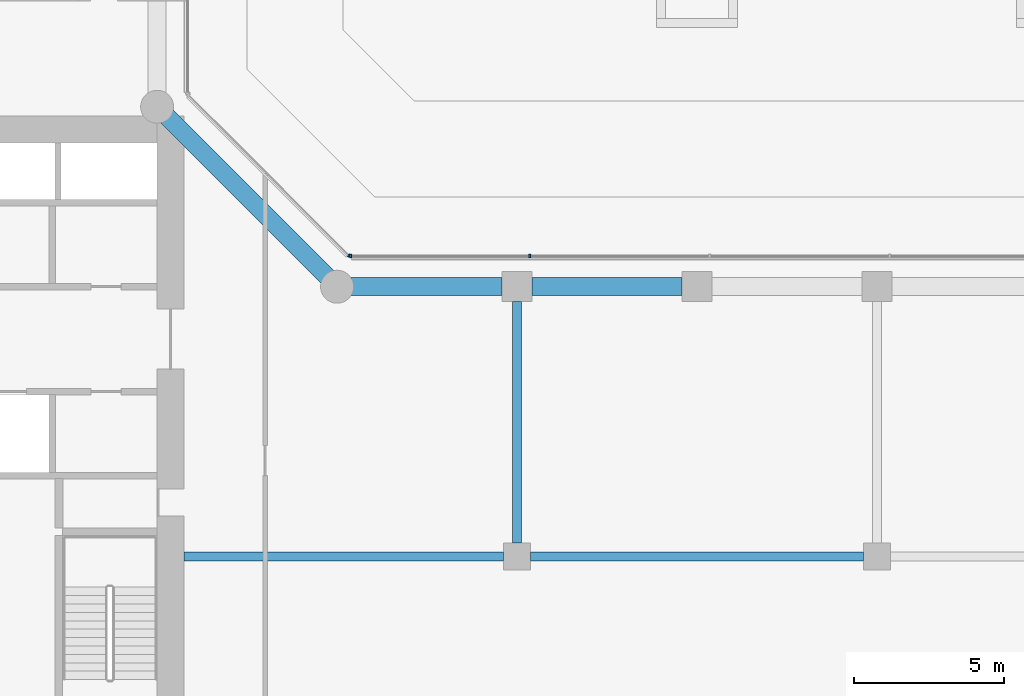
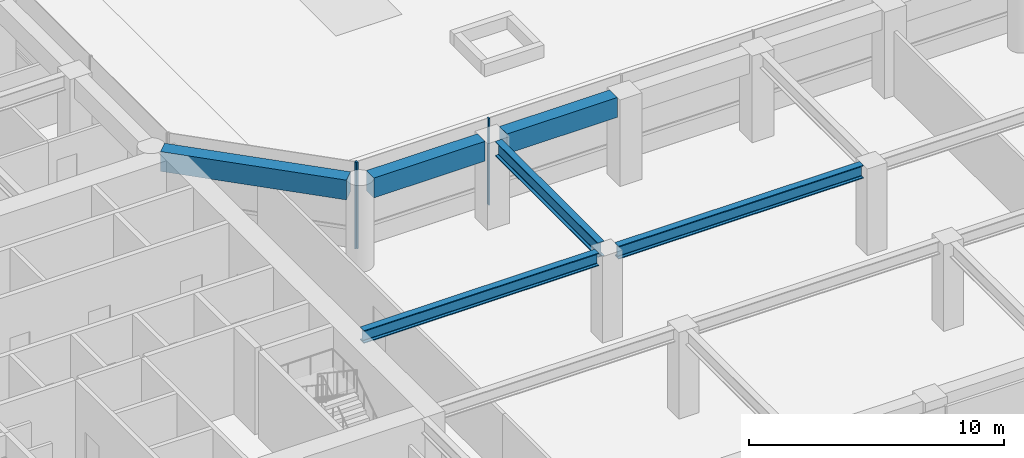
# One storey, part 7 of 31: 6 beams, 3 members, 2 elements without a shape of their own.
"""IFC4 building model written with IfcOpenShell, lengths in metres."""

from ifc_helpers import new_model, si_unit, direction, frame, origin, origin_2d, place, context, subcontext, project, spatial, rectangle, i_section, extrude, material, layer, layer_set, material_profile, profile_set, type_object, element, aggregate, save


model = new_model("IFC4")

# Units and contexts
model_context = context("Model", 3, precision=1e-05, world=origin(), true_north=direction((0.0, 1.0)))
body_context = subcontext(model_context, "Body", "Model", "MODEL_VIEW")
ifc_project = project(units=[si_unit("LENGTHUNIT", "METRE"), si_unit("AREAUNIT", "SQUARE_METRE"), si_unit("VOLUMEUNIT", "CUBIC_METRE"), si_unit("PLANEANGLEUNIT", "RADIAN"), si_unit("MASSUNIT", "GRAM", prefix="KILO")], contexts=[model_context])

# Site, building, storey
site_placement = place(None, origin())
site = spatial("IfcSite", under=ifc_project, at=site_placement, CompositionType="ELEMENT")
building_placement = place(site_placement, origin())
building = spatial("IfcBuilding", under=site, at=building_placement, Name="Welwitschia Terrace Campus", CompositionType="ELEMENT")
storey_placement = place(building_placement, frame((0.0, 0.0, 11.0)))
storey = spatial("IfcBuildingStorey", under=building, at=storey_placement, Name="L02", CompositionType="ELEMENT", Elevation=11.0)

# Beams
ifc_material_1 = material(Name="Steel S355", Category="steel")
ifc_material_profile_1 = material_profile(ifc_material_1, i_section(OverallWidth=0.304931640625, OverallDepth=0.6201171875, WebThickness=0.02099609375, FlangeThickness=0.0400390625, FilletRadius=0.027099609375, at=origin_2d()))
ifc_profile_set_1 = profile_set([ifc_material_profile_1], Name="Steel S355")
beam_type_1 = type_object("IfcBeamType", Name="Interior girder HE 600 M", PredefinedType="BEAM", material=ifc_profile_set_1)
beam_1_placement = place(storey_placement, frame((24.90087890625, 11.0, 3.840087890625), z_axis=(1.0, 0.0, 0.0), x_axis=(0.0, 1.0, 0.0)))
element("IfcBeam", 1, at=beam_1_placement, inside=storey, type_object=beam_type_1, Name="Girder GB1", PredefinedType="BEAM", context=body_context, shape_type="SweptSolid", body=[
    extrude(i_section(OverallWidth=0.304931640625, OverallDepth=0.6201171875, WebThickness=0.02099609375, FlangeThickness=0.0400390625, FilletRadius=0.027099609375, at=origin_2d()), origin(), (0.0, 0.0, 1.0), 10.648681640625),
])
beam_2_placement = place(storey_placement, frame((36.450439453125, 11.0, 3.840087890625), z_axis=(1.0, 0.0, 0.0), x_axis=(0.0, 1.0, 0.0)))
element("IfcBeam", 2, at=beam_2_placement, inside=storey, type_object=beam_type_1, Name="Girder GB1", PredefinedType="BEAM", context=body_context, shape_type="SweptSolid", body=[
    extrude(i_section(OverallWidth=0.304931640625, OverallDepth=0.6201171875, WebThickness=0.02099609375, FlangeThickness=0.0400390625, FilletRadius=0.027099609375, at=origin_2d()), origin(), (0.0, 0.0, 1.0), 11.09912109375),
])

# Curtain wall, members
ifc_material_2 = material(Name="Bronze anodised aluminium", Category="aluminium")
ifc_layer = layer(ifc_material_2, 0.1201171875)
ifc_layer_set = layer_set([ifc_layer], Name="Bronze anodised aluminium")
curtain_wall_type = type_object("IfcCurtainWallType", Name="Curtain wall CW2 tower 6000", PredefinedType="NOTDEFINED", material=ifc_layer_set)
curtain_wall_1_placement = place(storey_placement, origin())
curtain_wall_1 = element("IfcCurtainWall", 3, at=curtain_wall_1_placement, inside=storey, type_object=curtain_wall_type, Name="CW L02.5.0", PredefinedType="NOTDEFINED")
ifc_material_3 = material(Name="Bronze anodised aluminium", Category="aluminium")
ifc_material_profile_2 = material_profile(ifc_material_3, rectangle(XDim=0.1201171875, YDim=0.06005859375, at=origin_2d()))
ifc_profile_set_2 = profile_set([ifc_material_profile_2], Name="Bronze anodised aluminium")
member_type = type_object("IfcMemberType", Name="Mullion 60x120", PredefinedType="MULLION", material=ifc_profile_set_2)
member_1_placement = place(storey_placement, frame((36.422607421875, 21.02001953125, 0.0), z_axis=(0.0, 0.0, 1.0), x_axis=(0.0, -1.0, 0.0)))
member_1 = element("IfcMember", 4, at=member_1_placement, type_object=member_type, Name="Mullion L02.5.0.4", PredefinedType="MULLION", context=body_context, shape_type="SweptSolid", body=[
    extrude(rectangle(XDim=0.1201171875, YDim=0.06005859375, at=origin_2d()), origin(), (0.0, 0.0, 1.0), 4.14990234375),
])
member_2_placement = place(storey_placement, frame((30.452392578125, 21.02001953125, 0.0), z_axis=(0.0, 0.0, 1.0), x_axis=(0.0, -1.0, 0.0)))
member_2 = element("IfcMember", 5, at=member_2_placement, type_object=member_type, Name="Mullion L02.5.0.5", PredefinedType="MULLION", context=body_context, shape_type="SweptSolid", body=[
    extrude(rectangle(XDim=0.1201171875, YDim=0.06005859375, at=origin_2d()), origin(), (0.0, 0.0, 1.0), 4.14990234375),
])
aggregate(curtain_wall_1, [member_1, member_2])

# Curtain wall, member
curtain_wall_2_placement = place(storey_placement, origin())
curtain_wall_2 = element("IfcCurtainWall", 6, at=curtain_wall_2_placement, inside=storey, type_object=curtain_wall_type, Name="CW L02.6.0", PredefinedType="NOTDEFINED")
member_3_placement = place(storey_placement, frame((30.4013671875, 21.041259765625, 0.0), z_axis=(0.0, 0.0, 1.0), x_axis=(-0.707106781187, -0.707106781187, 0.0)))
member_3 = element("IfcMember", 7, at=member_3_placement, type_object=member_type, Name="Mullion L02.6.0.0", PredefinedType="MULLION", context=body_context, shape_type="SweptSolid", body=[
    extrude(rectangle(XDim=0.1201171875, YDim=0.06005859375, at=origin_2d()), origin(), (0.0, 0.0, 1.0), 4.14990234375),
])
aggregate(curtain_wall_2, [member_3])

# Beams
ifc_material_4 = material(Name="Steel S355", Category="steel")
ifc_material_profile_3 = material_profile(ifc_material_4, i_section(OverallWidth=0.300048828125, OverallDepth=0.699951171875, WebThickness=0.01708984375, FlangeThickness=0.031982421875, FilletRadius=0.027099609375, at=origin_2d()))
ifc_profile_set_3 = profile_set([ifc_material_profile_3], Name="Steel S355")
beam_type_2 = type_object("IfcBeamType", Name="Primary beam HE 700 B", PredefinedType="BEAM", material=ifc_profile_set_3)
beam_3_placement = place(storey_placement, frame((36.0, 19.49951171875, 3.800048828125), z_axis=(0.0, -1.0, 0.0), x_axis=(1.0, 0.0, 0.0)))
element("IfcBeam", 8, at=beam_3_placement, inside=storey, type_object=beam_type_2, Name="Primary beam PB1", PredefinedType="BEAM", context=body_context, shape_type="SweptSolid", body=[
    extrude(i_section(OverallWidth=0.300048828125, OverallDepth=0.699951171875, WebThickness=0.01708984375, FlangeThickness=0.031982421875, FilletRadius=0.027099609375, at=origin_2d()), origin(), (0.0, 0.0, 1.0), 8.049072265625),
])
ifc_material_5 = material(Name="Concrete C60/75", Category="concrete")
ifc_material_profile_4 = material_profile(ifc_material_5, rectangle(XDim=0.60009765625, YDim=0.949951171875, at=origin_2d()))
ifc_profile_set_4 = profile_set([ifc_material_profile_4], Name="Concrete C60/75")
beam_type_3 = type_object("IfcBeamType", Name="Ring spandrel 600x950", PredefinedType="SPANDREL", material=ifc_profile_set_4)
beam_4_placement = place(storey_placement, frame((41.49951171875, 20.0, 3.675048828125), z_axis=(-1.0, 0.0, 0.0), x_axis=(0.0, -1.0, 0.0)))
element("IfcBeam", 9, at=beam_4_placement, inside=storey, type_object=beam_type_3, Name="Spandrel SP1", PredefinedType="SPANDREL", context=body_context, shape_type="SweptSolid", body=[
    extrude(rectangle(XDim=0.60009765625, YDim=0.949951171875, at=origin_2d()), origin(), (0.0, 0.0, 1.0), 4.9990234375),
])
beam_5_placement = place(storey_placement, frame((35.49951171875, 20.0, 3.675048828125), z_axis=(-1.0, 0.0, 0.0), x_axis=(0.0, -1.0, 0.0)))
element("IfcBeam", 10, at=beam_5_placement, inside=storey, type_object=beam_type_3, Name="Spandrel SP1", PredefinedType="SPANDREL", context=body_context, shape_type="SweptSolid", body=[
    extrude(rectangle(XDim=0.60009765625, YDim=0.949951171875, at=origin_2d()), origin(), (0.0, 0.0, 1.0), 5.0380859375),
])
beam_6_placement = place(storey_placement, frame((29.673583984375, 20.326416015625, 3.675048828125), z_axis=(-0.707106781187, 0.707106781187, 0.0), x_axis=(-0.707106781187, -0.707106781187, 0.0)))
element("IfcBeam", 11, at=beam_6_placement, inside=storey, type_object=beam_type_3, Name="Spandrel SP1", PredefinedType="SPANDREL", context=body_context, shape_type="SweptSolid", body=[
    extrude(rectangle(XDim=0.60009765625, YDim=0.949951171875, at=origin_2d()), origin(), (0.0, 0.0, 1.0), 7.56201171875),
])

save(model, "model.ifc")
